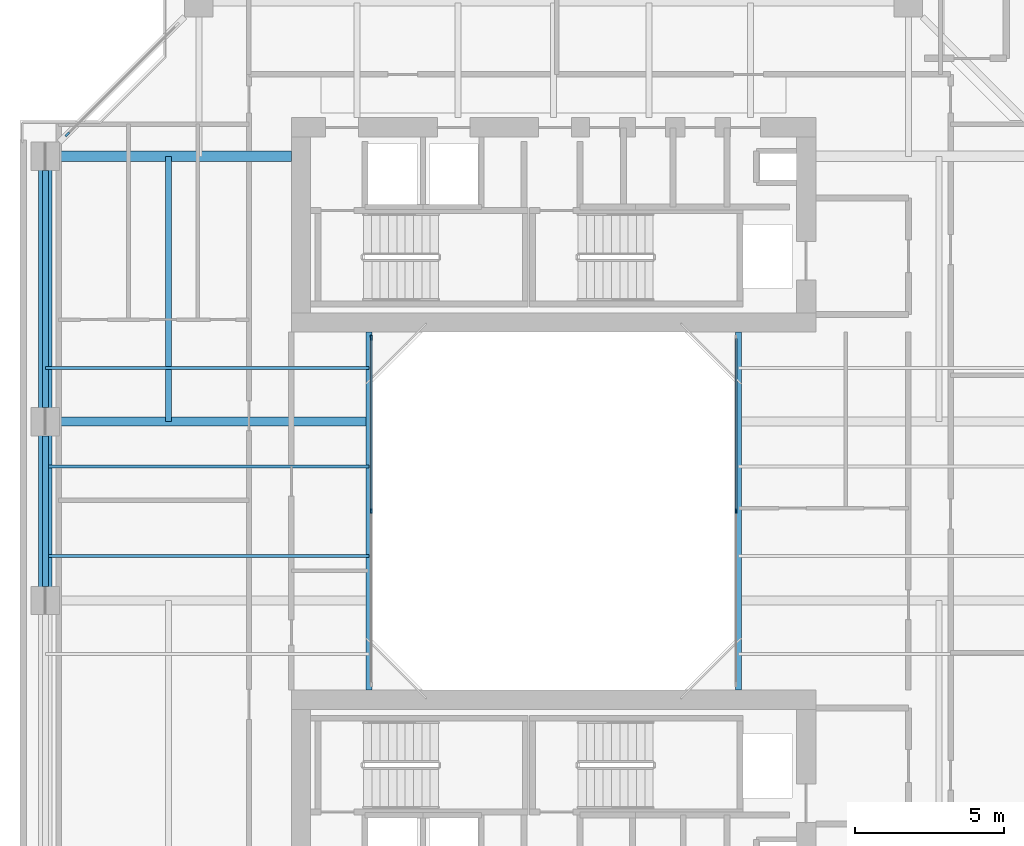
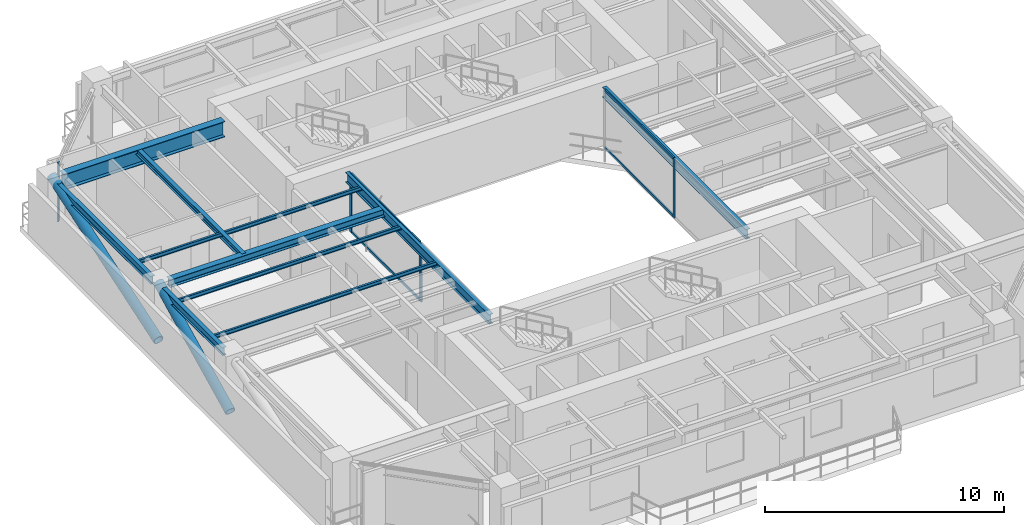
# One storey, part 4 of 14: 10 beams, 10 members, 3 elements without a shape of their own.
"""IFC4 building model written with IfcOpenShell, lengths in metres."""

from ifc_helpers import new_model, si_unit, direction, frame, origin, origin_2d, place, context, subcontext, project, spatial, rectangle, hollow_circle, i_section, extrude, source, transform, mapped, material, layer, layer_set, material_profile, profile_set, type_object, element, aggregate, save


model = new_model("IFC4")

# Units and contexts
model_context = context("Model", 3, precision=1e-05, world=origin(), true_north=direction((0.0, 1.0)))
body_context = subcontext(model_context, "Body", "Model", "MODEL_VIEW")
ifc_project = project(units=[si_unit("LENGTHUNIT", "METRE"), si_unit("AREAUNIT", "SQUARE_METRE"), si_unit("VOLUMEUNIT", "CUBIC_METRE"), si_unit("PLANEANGLEUNIT", "RADIAN"), si_unit("MASSUNIT", "GRAM", prefix="KILO"), si_unit("THERMODYNAMICTEMPERATUREUNIT", "KELVIN"), si_unit("POWERUNIT", "WATT")], contexts=[model_context])

# Site, building, storey
site_placement = place(None, origin())
site = spatial("IfcSite", under=ifc_project, at=site_placement, CompositionType="ELEMENT")
building_placement = place(site_placement, origin())
building = spatial("IfcBuilding", under=site, at=building_placement, Name="Qiaomeng Ring Towers", CompositionType="ELEMENT")
storey_placement = place(building_placement, frame((0.0, 0.0, 173.0)))
storey = spatial("IfcBuildingStorey", under=building, at=storey_placement, Name="L50", CompositionType="ELEMENT", Elevation=173.0)

# Beams
ifc_material_1 = material(Name="Steel Q355B", Category="steel")
ifc_material_profile_1 = material_profile(ifc_material_1, i_section(OverallWidth=0.199951171875, OverallDepth=0.5, WebThickness=0.010009765625, FlangeThickness=0.01611328125, FilletRadius=0.02001953125, at=origin_2d()), Name="HN 500x200x10x16")
ifc_profile_set_1 = profile_set([ifc_material_profile_1], Name="Steel Q355B")
beam_type_1 = type_object("IfcBeamType", Name="STR-BM-HN500", PredefinedType="BEAM", material=ifc_profile_set_1)
shared_shape_1 = source(origin(), body_context, "Body", "SweptSolid", [
    extrude(i_section(OverallWidth=0.199951171875, OverallDepth=0.5, WebThickness=0.010009765625, FlangeThickness=0.01611328125, FilletRadius=0.02001953125, at=origin_2d()), origin(), (0.0, 0.0, 1.0), 12.0),
])
for number, where, z_axis, x_axis, name in (
    (1, (12.800048828125, 17.0, 2.75), (0.0, 1.0, 0.0), (-1.0, 0.0, 0.0), "L50 beam STR-BM-L50-WELL-W"),
    (2, (25.199951171875, 17.0, 2.75), (0.0, 1.0, 0.0), (-1.0, 0.0, 0.0), "L50 beam STR-BM-L50-WELL-E"),
):
    element("IfcBeam", number, at=place(storey_placement, frame(where, z_axis=z_axis, x_axis=x_axis)), inside=storey, type_object=beam_type_1, Name=name, PredefinedType="BEAM", context=body_context, shape_type="MappedRepresentation", body=[
        mapped(shared_shape_1, transform((0.0, 0.0, 0.0), x_axis=(1.0, 0.0, 0.0), y_axis=(0.0, 1.0, 0.0), z_axis=(0.0, 0.0, 1.0), scale=1.0)),
    ])
ifc_material_profile_2 = material_profile(ifc_material_1, i_section(OverallWidth=0.10009765625, OverallDepth=0.199951171875, WebThickness=0.005615234375, FlangeThickness=0.008056640625, FilletRadius=0.010986328125, at=origin_2d()), Name="HN 200x100x5.5x8")
ifc_profile_set_2 = profile_set([ifc_material_profile_2], Name="Steel Q355B")
beam_type_2 = type_object("IfcBeamType", Name="STR-BM-HN200", PredefinedType="JOIST", material=ifc_profile_set_2)
shared_shape_2 = source(origin(), body_context, "Body", "SweptSolid", [
    extrude(i_section(OverallWidth=0.10009765625, OverallDepth=0.199951171875, WebThickness=0.005615234375, FlangeThickness=0.008056640625, FilletRadius=0.010986328125, at=origin_2d()), origin(), (0.0, 0.0, 1.0), 10.85009765625),
])
for number, where, z_axis, x_axis, name in (
    (3, (1.949951171875, 21.5, 2.89990234375), (1.0, 0.0, 0.0), (0.0, 1.0, 0.0), "L50 beam STR-JST-L50-T1W-2"),
    (4, (1.949951171875, 24.5, 2.89990234375), (1.0, 0.0, 0.0), (0.0, 1.0, 0.0), "L50 beam STR-JST-L50-T1W-3"),
    (5, (1.949951171875, 27.800048828125, 2.89990234375), (1.0, 0.0, 0.0), (0.0, 1.0, 0.0), "L50 beam STR-JST-L50-T1W-4"),
):
    element("IfcBeam", number, at=place(storey_placement, frame(where, z_axis=z_axis, x_axis=x_axis)), inside=storey, type_object=beam_type_2, Name=name, PredefinedType="JOIST", context=body_context, shape_type="MappedRepresentation", body=[
        mapped(shared_shape_2, transform((0.0, 0.0, 0.0), x_axis=(1.0, 0.0, 0.0), y_axis=(0.0, 1.0, 0.0), z_axis=(0.0, 0.0, 1.0), scale=1.0)),
    ])
ifc_material_profile_3 = material_profile(ifc_material_1, i_section(OverallWidth=0.199951171875, OverallDepth=0.2939453125, WebThickness=0.008056640625, FlangeThickness=0.011962890625, FilletRadius=0.01806640625, at=origin_2d()), Name="HM 294x200x8x12")
ifc_profile_set_3 = profile_set([ifc_material_profile_3], Name="Steel Q355B")
beam_type_3 = type_object("IfcBeamType", Name="STR-BM-HM294", PredefinedType="JOIST", material=ifc_profile_set_3)
shared_shape_3 = source(origin(), body_context, "Body", "SweptSolid", [
    extrude(i_section(OverallWidth=0.199951171875, OverallDepth=0.2939453125, WebThickness=0.008056640625, FlangeThickness=0.011962890625, FilletRadius=0.01806640625, at=origin_2d()), origin(), (0.0, 0.0, 1.0), 8.89990234375),
])
beam_1_placement = place(storey_placement, frame((6.074951171875, 26.0, 2.85302734375), z_axis=(0.0, 1.0, 0.0), x_axis=(-1.0, 0.0, 0.0)))
element("IfcBeam", 6, at=beam_1_placement, inside=storey, type_object=beam_type_3, Name="L50 beam STR-JST-L50-T1C-WN", PredefinedType="JOIST", context=body_context, shape_type="MappedRepresentation", body=[
    mapped(shared_shape_3, transform((0.0, 0.0, 0.0), x_axis=(1.0, 0.0, 0.0), y_axis=(0.0, 1.0, 0.0), z_axis=(0.0, 0.0, 1.0), scale=1.0)),
])
ifc_material_profile_4 = material_profile(ifc_material_1, i_section(OverallWidth=0.199951171875, OverallDepth=0.39990234375, WebThickness=0.008056640625, FlangeThickness=0.012939453125, FilletRadius=0.01611328125, at=origin_2d()), Name="HN 400x200x8x13")
ifc_profile_set_4 = profile_set([ifc_material_profile_4], Name="Steel Q355B")
beam_type_4 = type_object("IfcBeamType", Name="STR-BM-HN400", PredefinedType="SPANDREL", material=ifc_profile_set_4)
shared_shape_4 = source(origin(), body_context, "Body", "SweptSolid", [
    extrude(i_section(OverallWidth=0.199951171875, OverallDepth=0.39990234375, WebThickness=0.008056640625, FlangeThickness=0.012939453125, FilletRadius=0.01611328125, at=origin_2d()), origin(), (0.0, 0.0, 1.0), 7.951904296875),
])
beam_2_placement = place(storey_placement, frame((1.949951171875, 34.426025390625, 2.800048828125), z_axis=(0.0, -1.0, 0.0), x_axis=(1.0, 0.0, 0.0)))
element("IfcBeam", 7, at=beam_2_placement, inside=storey, type_object=beam_type_4, Name="L50 beam STR-SP-L50-T1-W4-W3", PredefinedType="SPANDREL", context=body_context, shape_type="MappedRepresentation", body=[
    mapped(shared_shape_4, transform((0.0, 0.0, 0.0), x_axis=(1.0, 0.0, 0.0), y_axis=(0.0, 1.0, 0.0), z_axis=(0.0, 0.0, 1.0), scale=1.0)),
])
shared_shape_5 = source(origin(), body_context, "Body", "SweptSolid", [
    extrude(i_section(OverallWidth=0.199951171875, OverallDepth=0.39990234375, WebThickness=0.008056640625, FlangeThickness=0.012939453125, FilletRadius=0.01611328125, at=origin_2d()), origin(), (0.0, 0.0, 1.0), 5.0517578125),
])
beam_3_placement = place(storey_placement, frame((1.949951171875, 25.52587890625, 2.800048828125), z_axis=(0.0, -1.0, 0.0), x_axis=(1.0, 0.0, 0.0)))
element("IfcBeam", 8, at=beam_3_placement, inside=storey, type_object=beam_type_4, Name="L50 beam STR-SP-L50-T1-W3-W2", PredefinedType="SPANDREL", context=body_context, shape_type="MappedRepresentation", body=[
    mapped(shared_shape_5, transform((0.0, 0.0, 0.0), x_axis=(1.0, 0.0, 0.0), y_axis=(0.0, 1.0, 0.0), z_axis=(0.0, 0.0, 1.0), scale=1.0)),
])
ifc_material_2 = material(Name="Steel Q390GJC", Category="steel")
ifc_material_profile_5 = material_profile(ifc_material_2, i_section(OverallWidth=0.35009765625, OverallDepth=0.800048828125, WebThickness=0.01611328125, FlangeThickness=0.028076171875, at=origin_2d()), Name="WH 800x350x16x28")
ifc_profile_set_5 = profile_set([ifc_material_profile_5], Name="Steel Q390GJC")
beam_type_5 = type_object("IfcBeamType", Name="STR-BM-WH800", PredefinedType="BEAM", material=ifc_profile_set_5)
shared_shape_6 = source(origin(), body_context, "Body", "SweptSolid", [
    extrude(i_section(OverallWidth=0.35009765625, OverallDepth=0.800048828125, WebThickness=0.01611328125, FlangeThickness=0.028076171875, at=origin_2d()), origin(), (0.0, 0.0, 1.0), 7.77587890625),
])
beam_4_placement = place(storey_placement, frame((2.424072265625, 34.89990234375, 2.60009765625), z_axis=(1.0, 0.0, 0.0), x_axis=(0.0, 1.0, 0.0)))
element("IfcBeam", 9, at=beam_4_placement, inside=storey, type_object=beam_type_5, Name="L50 beam STR-BM-L50-T1-RAD-W4", PredefinedType="BEAM", context=body_context, shape_type="MappedRepresentation", body=[
    mapped(shared_shape_6, transform((0.0, 0.0, 0.0), x_axis=(1.0, 0.0, 0.0), y_axis=(0.0, 1.0, 0.0), z_axis=(0.0, 0.0, 1.0), scale=1.0)),
])
ifc_material_profile_6 = material_profile(ifc_material_1, i_section(OverallWidth=0.300048828125, OverallDepth=0.389892578125, WebThickness=0.010009765625, FlangeThickness=0.01611328125, FilletRadius=0.02197265625, at=origin_2d()), Name="HM 390x300x10x16")
ifc_profile_set_6 = profile_set([ifc_material_profile_6], Name="Steel Q355B")
beam_type_6 = type_object("IfcBeamType", Name="STR-BM-HM390", PredefinedType="BEAM", material=ifc_profile_set_6)
shared_shape_7 = source(origin(), body_context, "Body", "SweptSolid", [
    extrude(i_section(OverallWidth=0.300048828125, OverallDepth=0.389892578125, WebThickness=0.010009765625, FlangeThickness=0.01611328125, FilletRadius=0.02197265625, at=origin_2d()), origin(), (0.0, 0.0, 1.0), 10.3759765625),
])
beam_5_placement = place(storey_placement, frame((2.424072265625, 26.0, 2.804931640625), z_axis=(1.0, 0.0, 0.0), x_axis=(0.0, 1.0, 0.0)))
element("IfcBeam", 10, at=beam_5_placement, inside=storey, type_object=beam_type_6, Name="L50 beam STR-BM-L50-T1-RAD-W3", PredefinedType="BEAM", context=body_context, shape_type="MappedRepresentation", body=[
    mapped(shared_shape_7, transform((0.0, 0.0, 0.0), x_axis=(1.0, 0.0, 0.0), y_axis=(0.0, 1.0, 0.0), z_axis=(0.0, 0.0, 1.0), scale=1.0)),
])

# Members
ifc_material_profile_7 = material_profile(ifc_material_2, hollow_circle(Radius=0.228515625, WallThickness=0.028076171875, at=origin_2d()), Name="CHS 457x28")
ifc_profile_set_7 = profile_set([ifc_material_profile_7], Name="Steel Q390GJC")
member_type_1 = type_object("IfcMemberType", Name="STR-MB-BR-457", PredefinedType="BRACE", material=ifc_profile_set_7)
shared_shape_8 = source(origin(), body_context, "Body", "SweptSolid", [
    extrude(hollow_circle(Radius=0.228515625, WallThickness=0.028076171875, at=origin_2d()), origin(), (0.0, 0.0, 1.0), 9.379150390625),
])
member_1_placement = place(storey_placement, frame((1.949951171875, 26.0, 0.02001953125), z_axis=(0.0, 0.948896527699, 0.315587356719), x_axis=(-1.0, 0.0, 0.0)))
element("IfcMember", 11, at=member_1_placement, inside=storey, type_object=member_type_1, Name="L50 Portal Bridge Truss Diagonal W-2A", PredefinedType="BRACE", context=body_context, shape_type="MappedRepresentation", body=[
    mapped(shared_shape_8, transform((0.0, 0.0, 0.0), x_axis=(1.0, 0.0, 0.0), y_axis=(0.0, 1.0, 0.0), z_axis=(0.0, 0.0, 1.0), scale=1.0)),
])
shared_shape_9 = source(origin(), body_context, "Body", "SweptSolid", [
    extrude(hollow_circle(Radius=0.228515625, WallThickness=0.028076171875, at=origin_2d()), origin(), (0.0, 0.0, 1.0), 6.6904296875),
])
member_2_placement = place(storey_placement, frame((1.949951171875, 20.0, 0.02001953125), z_axis=(0.0, 0.896808201334, 0.44241954073), x_axis=(-1.0, 0.0, 0.0)))
element("IfcMember", 12, at=member_2_placement, inside=storey, type_object=member_type_1, Name="L50 Portal Bridge Truss Diagonal W-1A", PredefinedType="BRACE", context=body_context, shape_type="MappedRepresentation", body=[
    mapped(shared_shape_9, transform((0.0, 0.0, 0.0), x_axis=(1.0, 0.0, 0.0), y_axis=(0.0, 1.0, 0.0), z_axis=(0.0, 0.0, 1.0), scale=1.0)),
])

# Curtain wall, members
ifc_material_3 = material(Name="Fluorocarbon dark-grey aluminium", Category="aluminium")
ifc_layer_1 = layer(ifc_material_3, 0.139892578125, Name="Fluorocarbon dark-grey aluminium")
ifc_layer_set_1 = layer_set([ifc_layer_1], Name="Fluorocarbon dark-grey aluminium")
curtain_wall_type_1 = type_object("IfcCurtainWallType", Name="ARC-CW-4", PredefinedType="NOTDEFINED", material=ifc_layer_set_1)
curtain_wall_1_placement = place(storey_placement, origin())
curtain_wall_1 = element("IfcCurtainWall", 13, at=curtain_wall_1_placement, inside=storey, type_object=curtain_wall_type_1, Name="L50 Curtain Wall CW4", PredefinedType="NOTDEFINED")
ifc_material_profile_8 = material_profile(ifc_material_3, rectangle(XDim=0.06494140625, YDim=0.1298828125, at=origin_2d()), Name="ALU TRAN 65x130")
ifc_profile_set_8 = profile_set([ifc_material_profile_8], Name="Fluorocarbon dark-grey aluminium")
member_type_2 = type_object("IfcMemberType", Name="ARC-CWT-120", PredefinedType="USERDEFINED", material=ifc_profile_set_8)
shared_shape_10 = source(origin(), body_context, "Body", "SweptSolid", [
    extrude(rectangle(XDim=0.06494140625, YDim=0.1298828125, at=origin_2d()), origin(), (0.0, 0.0, 1.0), 5.75244140625),
])
member_3_placement = place(storey_placement, frame((12.8798828125, 23.032470703125, 0.032470703125), z_axis=(0.0, 1.0, 0.0), x_axis=(-1.0, 0.0, 0.0)))
member_3 = element("IfcMember", 14, at=member_3_placement, type_object=member_type_2, Name="CW4 transom 2.1", ObjectType="TRANSOM", PredefinedType="USERDEFINED", context=body_context, shape_type="MappedRepresentation", body=[
    mapped(shared_shape_10, transform((0.0, 0.0, 0.0), x_axis=(1.0, 0.0, 0.0), y_axis=(0.0, 1.0, 0.0), z_axis=(0.0, 0.0, 1.0), scale=1.0)),
])
member_4_placement = place(storey_placement, frame((12.8798828125, 23.032470703125, 2.967529296875), z_axis=(0.0, 1.0, 0.0), x_axis=(-1.0, 0.0, 0.0)))
member_4 = element("IfcMember", 15, at=member_4_placement, type_object=member_type_2, Name="CW4 transom 2.2", ObjectType="TRANSOM", PredefinedType="USERDEFINED", context=body_context, shape_type="MappedRepresentation", body=[
    mapped(shared_shape_10, transform((0.0, 0.0, 0.0), x_axis=(1.0, 0.0, 0.0), y_axis=(0.0, 1.0, 0.0), z_axis=(0.0, 0.0, 1.0), scale=1.0)),
])

curtain_wall_2_placement = place(storey_placement, origin())
curtain_wall_2 = element("IfcCurtainWall", 16, at=curtain_wall_2_placement, inside=storey, type_object=curtain_wall_type_1, Name="L50 Curtain Wall CW4", PredefinedType="NOTDEFINED")
member_5_placement = place(storey_placement, frame((25.1201171875, 23.032470703125, 0.032470703125), z_axis=(0.0, 1.0, 0.0), x_axis=(-1.0, 0.0, 0.0)))
member_5 = element("IfcMember", 17, at=member_5_placement, type_object=member_type_2, Name="CW4 transom 2.1", ObjectType="TRANSOM", PredefinedType="USERDEFINED", context=body_context, shape_type="MappedRepresentation", body=[
    mapped(shared_shape_10, transform((0.0, 0.0, 0.0), x_axis=(1.0, 0.0, 0.0), y_axis=(0.0, 1.0, 0.0), z_axis=(0.0, 0.0, 1.0), scale=1.0)),
])
member_6_placement = place(storey_placement, frame((25.1201171875, 23.032470703125, 2.967529296875), z_axis=(0.0, 1.0, 0.0), x_axis=(-1.0, 0.0, 0.0)))
member_6 = element("IfcMember", 18, at=member_6_placement, type_object=member_type_2, Name="CW4 transom 2.2", ObjectType="TRANSOM", PredefinedType="USERDEFINED", context=body_context, shape_type="MappedRepresentation", body=[
    mapped(shared_shape_10, transform((0.0, 0.0, 0.0), x_axis=(1.0, 0.0, 0.0), y_axis=(0.0, 1.0, 0.0), z_axis=(0.0, 0.0, 1.0), scale=1.0)),
])

# Curtain wall, member
ifc_layer_2 = layer(ifc_material_3, 0.14990234375, Name="Fluorocarbon dark-grey aluminium")
ifc_layer_set_2 = layer_set([ifc_layer_2], Name="Fluorocarbon dark-grey aluminium")
curtain_wall_type_2 = type_object("IfcCurtainWallType", Name="ARC-CW-3", PredefinedType="NOTDEFINED", material=ifc_layer_set_2)
curtain_wall_3_placement = place(storey_placement, origin())
curtain_wall_3 = element("IfcCurtainWall", 19, at=curtain_wall_3_placement, inside=storey, type_object=curtain_wall_type_2, Name="L50 Curtain Wall CW3", PredefinedType="NOTDEFINED")
ifc_material_profile_9 = material_profile(ifc_material_3, rectangle(XDim=0.070068359375, YDim=0.179931640625, at=origin_2d()), Name="ALU MULL 70x180")
ifc_profile_set_9 = profile_set([ifc_material_profile_9], Name="Fluorocarbon dark-grey aluminium")
member_type_3 = type_object("IfcMemberType", Name="ARC-CWM-160", PredefinedType="MULLION", material=ifc_profile_set_9)
shared_shape_11 = source(origin(), body_context, "Body", "SweptSolid", [
    extrude(rectangle(XDim=0.070068359375, YDim=0.179931640625, at=origin_2d()), origin(), (0.0, 0.0, 1.0), 3.0),
])
member_7_placement = place(storey_placement, frame((2.689697265625, 35.6396484375, 0.0), z_axis=(0.0, 0.0, 1.0), x_axis=(0.707106781187, -0.707106781187, 0.0)))
member_7 = element("IfcMember", 20, at=member_7_placement, type_object=member_type_3, Name="CW3 mullion 2", PredefinedType="MULLION", context=body_context, shape_type="MappedRepresentation", body=[
    mapped(shared_shape_11, transform((0.0, 0.0, 0.0), x_axis=(1.0, 0.0, 0.0), y_axis=(0.0, 1.0, 0.0), z_axis=(0.0, 0.0, 1.0), scale=1.0)),
])
aggregate(curtain_wall_3, [member_7])

# Member
ifc_material_profile_10 = material_profile(ifc_material_3, rectangle(XDim=0.06494140625, YDim=0.159912109375, at=origin_2d()), Name="ALU MULL 65x160")
ifc_profile_set_10 = profile_set([ifc_material_profile_10], Name="Fluorocarbon dark-grey aluminium")
member_type_4 = type_object("IfcMemberType", Name="ARC-CWM-140", PredefinedType="MULLION", material=ifc_profile_set_10)
shared_shape_12 = source(origin(), body_context, "Body", "SweptSolid", [
    extrude(rectangle(XDim=0.06494140625, YDim=0.159912109375, at=origin_2d()), origin(), (0.0, 0.0, 1.0), 3.0),
])
member_8_placement = place(storey_placement, frame((12.8798828125, 23.0, 0.0), z_axis=(0.0, 0.0, 1.0), x_axis=(-1.0, 0.0, 0.0)))
member_8 = element("IfcMember", 21, at=member_8_placement, type_object=member_type_4, Name="CW4 mullion 2", PredefinedType="MULLION", context=body_context, shape_type="MappedRepresentation", body=[
    mapped(shared_shape_12, transform((0.0, 0.0, 0.0), x_axis=(1.0, 0.0, 0.0), y_axis=(0.0, 1.0, 0.0), z_axis=(0.0, 0.0, 1.0), scale=1.0)),
])

member_9_placement = place(storey_placement, frame((12.8798828125, 28.8173828125, 0.0), z_axis=(0.0, 0.0, 1.0), x_axis=(-1.0, 0.0, 0.0)))
member_9 = element("IfcMember", 22, at=member_9_placement, type_object=member_type_4, Name="CW4 mullion 3", PredefinedType="MULLION", context=body_context, shape_type="MappedRepresentation", body=[
    mapped(shared_shape_12, transform((0.0, 0.0, 0.0), x_axis=(1.0, 0.0, 0.0), y_axis=(0.0, 1.0, 0.0), z_axis=(0.0, 0.0, 1.0), scale=1.0)),
])

aggregate(curtain_wall_1, [member_8, member_9, member_3, member_4])

member_10_placement = place(storey_placement, frame((25.1201171875, 23.0, 0.0), z_axis=(0.0, 0.0, 1.0), x_axis=(-1.0, 0.0, 0.0)))
member_10 = element("IfcMember", 23, at=member_10_placement, type_object=member_type_4, Name="CW4 mullion 2", PredefinedType="MULLION", context=body_context, shape_type="MappedRepresentation", body=[
    mapped(shared_shape_12, transform((0.0, 0.0, 0.0), x_axis=(1.0, 0.0, 0.0), y_axis=(0.0, 1.0, 0.0), z_axis=(0.0, 0.0, 1.0), scale=1.0)),
])

aggregate(curtain_wall_2, [member_10, member_5, member_6])

save(model, "model.ifc")
